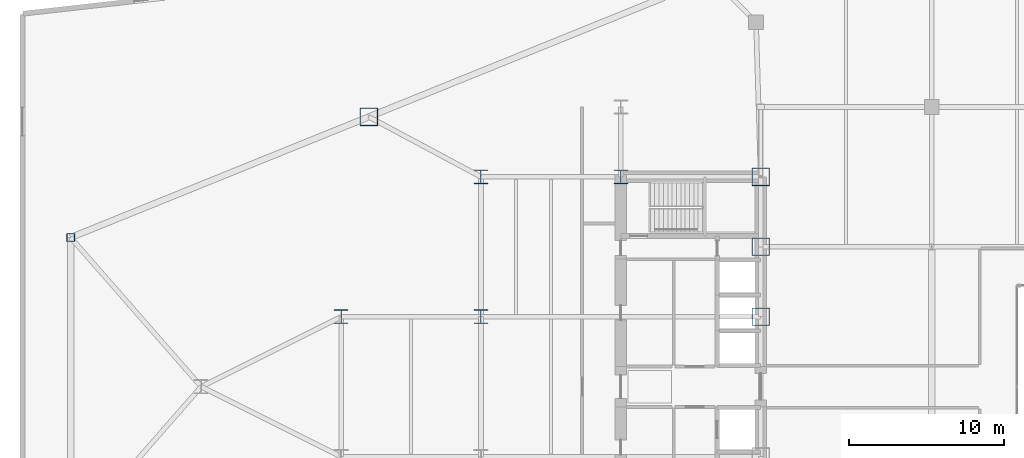
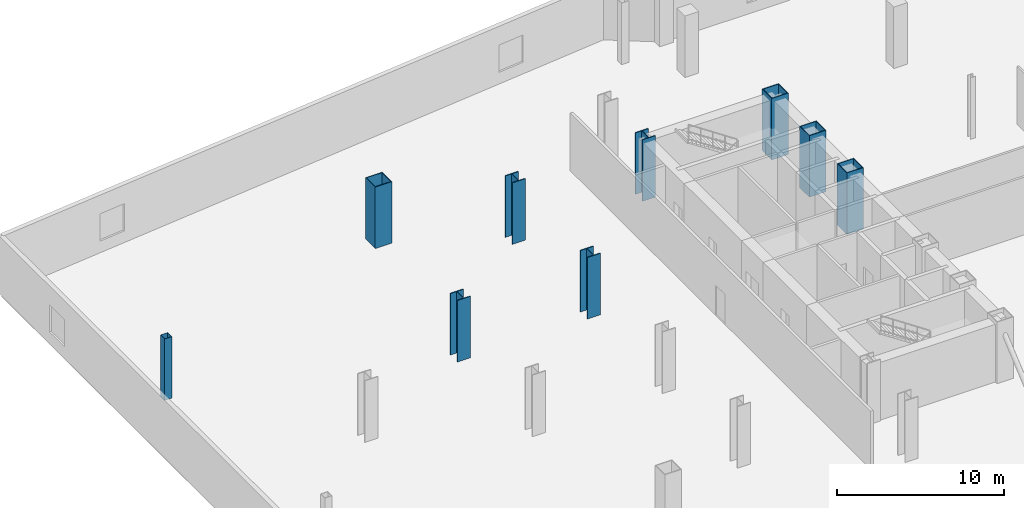
# One storey, part 3 of 25: 9 columns.
"""IFC4 building model written with IfcOpenShell, lengths in metres."""

from ifc_helpers import new_model, si_unit, direction, frame, origin, origin_2d, place, context, subcontext, project, spatial, hollow_rectangle, i_section, extrude, source, transform, mapped, material, material_profile, profile_set, type_object, type_shapes, element, save


model = new_model("IFC4")

# Units and contexts
model_context = context("Model", 3, precision=1e-05, world=origin(), true_north=direction((0.0, 1.0)))
body_context = subcontext(model_context, "Body", "Model", "MODEL_VIEW")
ifc_project = project(units=[si_unit("LENGTHUNIT", "METRE"), si_unit("AREAUNIT", "SQUARE_METRE"), si_unit("VOLUMEUNIT", "CUBIC_METRE"), si_unit("PLANEANGLEUNIT", "RADIAN"), si_unit("MASSUNIT", "GRAM", prefix="KILO")], contexts=[model_context])

# Site, building, storey
site_placement = place(None, origin())
site = spatial("IfcSite", under=ifc_project, at=site_placement, CompositionType="ELEMENT")
building_placement = place(site_placement, origin())
building = spatial("IfcBuilding", under=site, at=building_placement, Name="Seokmaru Belvedere", CompositionType="ELEMENT")
storey_placement = place(building_placement, frame((0.0, 0.0, 5.39990234375)))
storey = spatial("IfcBuildingStorey", under=building, at=storey_placement, Name="L01", CompositionType="ELEMENT", Elevation=5.39990234375)

# Columns
ifc_material_1 = material(Name="Steel HSA650 (650 MPa)", Category="steel")
ifc_material_profile_1 = material_profile(ifc_material_1, hollow_rectangle(XDim=1.14990234375, YDim=1.14990234375, WallThickness=0.048095703125, at=origin_2d()), Name="BOX-1150x1150x48")
ifc_profile_set_1 = profile_set([ifc_material_profile_1], Name="Steel HSA650 (650 MPa)")
column_type_1 = type_object("IfcColumnType", Name="Portal Spine Column BOX-1150", PredefinedType="COLUMN", material=ifc_profile_set_1)
shared_shape_1 = source(origin(), body_context, "Body", "SweptSolid", [
    extrude(hollow_rectangle(XDim=1.14990234375, YDim=1.14990234375, WallThickness=0.048095703125, at=origin_2d()), origin(), (0.0, 0.0, 1.0), 4.5),
])
type_shapes(column_type_1, [shared_shape_1])
for number, where, z_axis, x_axis, name in (
    (1, (-27.5, 4.5, 0.0), (0.0, 0.0, 1.0), (1.0, 0.0, 0.0), "L01 Column WS4"),
    (2, (-27.5, 9.0, 0.0), (0.0, 0.0, 1.0), (1.0, 0.0, 0.0), "L01 Column WS5"),
    (3, (-27.5, 13.5, 0.0), (0.0, 0.0, 1.0), (1.0, 0.0, 0.0), "L01 Column WS6"),
    (4, (-52.715576171875, 17.360595703125, 0.0), (0.0, 0.0, 1.0), (1.0, 0.0, 0.0), "L01 Column WFLK_N2"),
):
    element("IfcColumn", number, at=place(storey_placement, frame(where, z_axis=z_axis, x_axis=x_axis)), inside=storey, type_object=column_type_1, Name=name, PredefinedType="COLUMN", context=body_context, shape_type="MappedRepresentation", body=[
        mapped(shared_shape_1, transform((0.0, 0.0, 0.0), scale=1.0)),
    ])
ifc_material_profile_2 = material_profile(ifc_material_1, i_section(OverallWidth=0.89990234375, OverallDepth=0.89990234375, WebThickness=0.035888671875, FlangeThickness=0.054931640625, at=origin_2d()), Name="H-900x900x36x55")
ifc_profile_set_2 = profile_set([ifc_material_profile_2], Name="Steel HSA650 (650 MPa)")
column_type_2 = type_object("IfcColumnType", Name="Lower Interior Column H-900", PredefinedType="COLUMN", material=ifc_profile_set_2)
shared_shape_2 = source(origin(), body_context, "Body", "SweptSolid", [
    extrude(i_section(OverallWidth=0.89990234375, OverallDepth=0.89990234375, WebThickness=0.035888671875, FlangeThickness=0.054931640625, at=origin_2d()), origin(), (0.0, 0.0, 1.0), 4.5),
])
type_shapes(column_type_2, [shared_shape_2])
for number, where, z_axis, x_axis, name in (
    (5, (-36.5, 13.5, 0.0), (0.0, 0.0, 1.0), (1.0, 0.0, 0.0), "L01 Column WC3"),
    (6, (-45.5, 4.5, 0.0), (0.0, 0.0, 1.0), (1.0, 0.0, 0.0), "L01 Column WG5_3"),
    (7, (-45.5, 13.5, 0.0), (0.0, 0.0, 1.0), (1.0, 0.0, 0.0), "L01 Column WG5_4"),
    (8, (-54.5, 4.5, 0.0), (0.0, 0.0, 1.0), (1.0, 0.0, 0.0), "L01 Column WG4P_2"),
):
    element("IfcColumn", number, at=place(storey_placement, frame(where, z_axis=z_axis, x_axis=x_axis)), inside=storey, type_object=column_type_2, Name=name, PredefinedType="COLUMN", context=body_context, shape_type="MappedRepresentation", body=[
        mapped(shared_shape_2, transform((0.0, 0.0, 0.0), scale=1.0)),
    ])
ifc_material_2 = material(Name="Steel SM355 (355 MPa)", Category="steel")
ifc_material_profile_3 = material_profile(ifc_material_2, hollow_rectangle(XDim=0.5, YDim=0.5, WallThickness=0.02001953125, at=origin_2d()), Name="HSS-500x500x20")
ifc_profile_set_3 = profile_set([ifc_material_profile_3], Name="Steel SM355 (355 MPa)")
column_type_3 = type_object("IfcColumnType", Name="Perimeter Facet Column HSS-500", PredefinedType="COLUMN", material=ifc_profile_set_3)
shared_shape_3 = source(origin(), body_context, "Body", "SweptSolid", [
    extrude(hollow_rectangle(XDim=0.5, YDim=0.5, WallThickness=0.02001953125, at=origin_2d()), origin(), (0.0, 0.0, 1.0), 4.5),
])
type_shapes(column_type_3, [shared_shape_3])
column_placement = place(storey_placement, frame((-71.89990234375, 9.595703125, 0.0), z_axis=(0.0, 0.0, 1.0), x_axis=(1.0, 0.0, 0.0)))
element("IfcColumn", 9, at=column_placement, inside=storey, type_object=column_type_3, Name="L01 Column WF4", PredefinedType="COLUMN", context=body_context, shape_type="MappedRepresentation", body=[
    mapped(shared_shape_3, transform((0.0, 0.0, 0.0), scale=1.0)),
])

save(model, "model.ifc")
